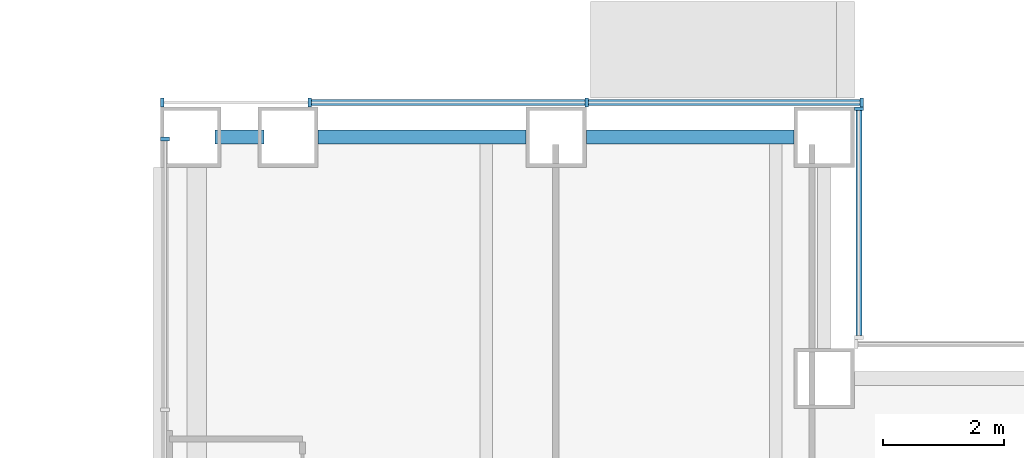
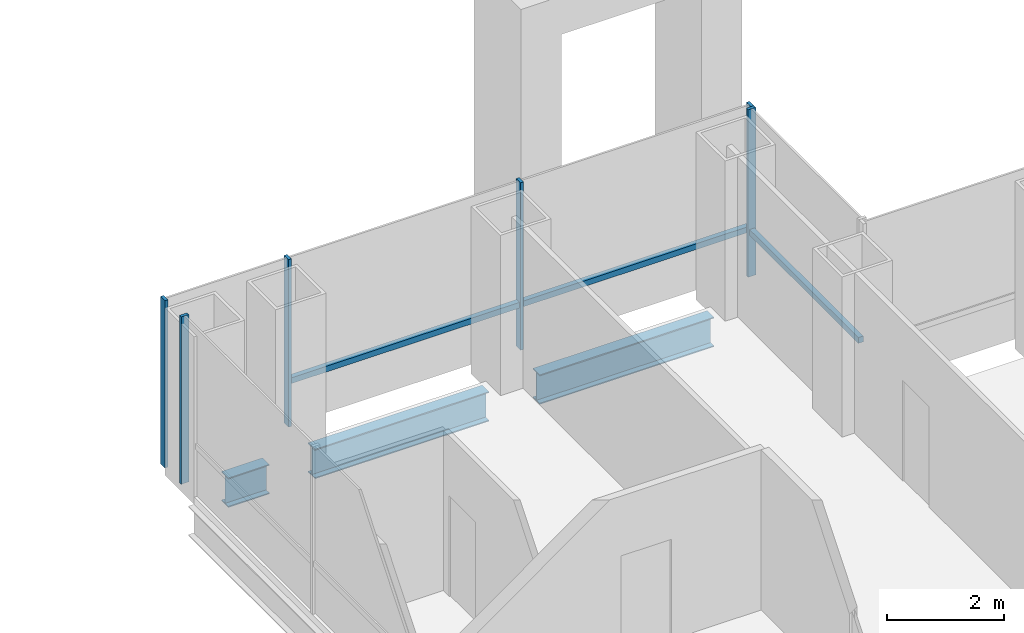
# One storey, part 10 of 26: 9 members, 3 beams, 3 elements without a shape of their own.
"""IFC4 building model written with IfcOpenShell, lengths in metres."""

from ifc_helpers import new_model, si_unit, direction, frame, origin, origin_2d, place, context, subcontext, project, spatial, rectangle, i_section, extrude, material, material_profile, profile_set, type_object, element, aggregate, save


model = new_model("IFC4")

# Units and contexts
model_context = context("Model", 3, precision=1e-05, world=origin(), true_north=direction((0.0, 1.0)))
body_context = subcontext(model_context, "Body", "Model", "MODEL_VIEW")
ifc_project = project(units=[si_unit("LENGTHUNIT", "METRE"), si_unit("AREAUNIT", "SQUARE_METRE"), si_unit("VOLUMEUNIT", "CUBIC_METRE"), si_unit("PLANEANGLEUNIT", "RADIAN"), si_unit("MASSUNIT", "GRAM", prefix="KILO")], contexts=[model_context])

# Site, building, storey
site_placement = place(None, origin())
site = spatial("IfcSite", under=ifc_project, at=site_placement, CompositionType="ELEMENT")
building_placement = place(site_placement, origin())
building = spatial("IfcBuilding", under=site, at=building_placement, Name="Cobrizo Arcos Hotel Tower", CompositionType="ELEMENT")
storey_placement = place(building_placement, frame((0.0, 0.0, 67.0)))
storey = spatial("IfcBuildingStorey", under=building, at=storey_placement, Name="L15", CompositionType="ELEMENT", Elevation=67.0)

# Curtain wall, member
ifc_material_1 = material(Name="Aluminium 6063-T6 anodised bronze", Category="aluminium")
curtain_wall_type_1 = type_object("IfcCurtainWallType", Name="CW-A guest facade", PredefinedType="NOTDEFINED", material=ifc_material_1)
curtain_wall_1_placement = place(storey_placement, origin())
curtain_wall_1 = element("IfcCurtainWall", 1, at=curtain_wall_1_placement, inside=storey, type_object=curtain_wall_type_1, Name="CW-A L15 E face", PredefinedType="NOTDEFINED")
ifc_material_profile_1 = material_profile(ifc_material_1, rectangle(XDim=0.14990234375, YDim=0.06005859375, at=origin_2d()), Name="CW-A mullion 150x60")
ifc_profile_set_1 = profile_set([ifc_material_profile_1], Name="Aluminium 6063-T6 anodised bronze")
member_type_1 = type_object("IfcMemberType", Name="CW-A mullion 150x60", PredefinedType="MULLION", material=ifc_profile_set_1)
member_1_placement = place(storey_placement, frame((20.574951171875, 24.469970703125, 0.0), z_axis=(0.0, 0.0, 1.0), x_axis=(1.0, 0.0, 0.0)))
member_1 = element("IfcMember", 2, at=member_1_placement, type_object=member_type_1, Name="CW-A mullion 2", PredefinedType="MULLION", context=body_context, shape_type="SweptSolid", body=[
    extrude(rectangle(XDim=0.14990234375, YDim=0.06005859375, at=origin_2d()), origin(), (0.0, 0.0, 1.0), 3.5),
])

# Curtain wall, members
curtain_wall_2_placement = place(storey_placement, origin())
curtain_wall_2 = element("IfcCurtainWall", 3, at=curtain_wall_2_placement, inside=storey, type_object=curtain_wall_type_1, Name="CW-A L15 N face", PredefinedType="NOTDEFINED")
member_2_placement = place(storey_placement, frame((20.6201171875, 24.574951171875, 0.0), z_axis=(0.0, 0.0, 1.0), x_axis=(0.0, 1.0, 0.0)))
member_2 = element("IfcMember", 4, at=member_2_placement, type_object=member_type_1, Name="CW-A mullion 1", PredefinedType="MULLION", context=body_context, shape_type="SweptSolid", body=[
    extrude(rectangle(XDim=0.14990234375, YDim=0.06005859375, at=origin_2d()), origin(), (0.0, 0.0, 1.0), 3.5),
])
member_3_placement = place(storey_placement, frame((16.06103515625, 24.574951171875, 0.0), z_axis=(0.0, 0.0, 1.0), x_axis=(0.0, 1.0, 0.0)))
member_3 = element("IfcMember", 5, at=member_3_placement, type_object=member_type_1, Name="CW-A mullion 2", PredefinedType="MULLION", context=body_context, shape_type="SweptSolid", body=[
    extrude(rectangle(XDim=0.14990234375, YDim=0.06005859375, at=origin_2d()), origin(), (0.0, 0.0, 1.0), 3.5),
])
member_4_placement = place(storey_placement, frame((11.47216796875, 24.574951171875, 0.0), z_axis=(0.0, 0.0, 1.0), x_axis=(0.0, 1.0, 0.0)))
member_4 = element("IfcMember", 6, at=member_4_placement, type_object=member_type_1, Name="CW-A mullion 3", PredefinedType="MULLION", context=body_context, shape_type="SweptSolid", body=[
    extrude(rectangle(XDim=0.14990234375, YDim=0.06005859375, at=origin_2d()), origin(), (0.0, 0.0, 1.0), 3.5),
])
member_5_placement = place(storey_placement, frame((9.030029296875, 24.574951171875, 0.0), z_axis=(0.0, 0.0, 1.0), x_axis=(0.0, 1.0, 0.0)))
member_5 = element("IfcMember", 7, at=member_5_placement, type_object=member_type_1, Name="CW-A mullion 4", PredefinedType="MULLION", context=body_context, shape_type="SweptSolid", body=[
    extrude(rectangle(XDim=0.14990234375, YDim=0.06005859375, at=origin_2d()), origin(), (0.0, 0.0, 1.0), 3.5),
])

# Member
ifc_material_profile_2 = material_profile(ifc_material_1, rectangle(XDim=0.10009765625, YDim=0.1201171875, at=origin_2d()), Name="CW-A transom 120x100")
ifc_profile_set_2 = profile_set([ifc_material_profile_2], Name="Aluminium 6063-T6 anodised bronze")
member_type_2 = type_object("IfcMemberType", Name="CW-A transom 120x100", PredefinedType="USERDEFINED", material=ifc_profile_set_2)
member_6_placement = place(storey_placement, frame((20.574951171875, 20.7099609375, 0.929931640625), z_axis=(0.0, 1.0, 0.0), x_axis=(-1.0, 0.0, 0.0)))
member_6 = element("IfcMember", 8, at=member_6_placement, type_object=member_type_2, Name="CW-A transom 668", ObjectType="TRANSOM", PredefinedType="USERDEFINED", context=body_context, shape_type="SweptSolid", body=[
    extrude(rectangle(XDim=0.10009765625, YDim=0.1201171875, at=origin_2d()), origin(), (0.0, 0.0, 1.0), 3.72998046875),
])

aggregate(curtain_wall_1, [member_1, member_6])

member_7_placement = place(storey_placement, frame((20.590087890625, 24.574951171875, 0.929931640625), z_axis=(-1.0, 0.0, 0.0), x_axis=(0.0, -1.0, 0.0)))
member_7 = element("IfcMember", 9, at=member_7_placement, type_object=member_type_2, Name="CW-A transom 669", ObjectType="TRANSOM", PredefinedType="USERDEFINED", context=body_context, shape_type="SweptSolid", body=[
    extrude(rectangle(XDim=0.10009765625, YDim=0.1201171875, at=origin_2d()), origin(), (0.0, 0.0, 1.0), 4.4990234375),
])

member_8_placement = place(storey_placement, frame((16.031005859375, 24.574951171875, 0.929931640625), z_axis=(-1.0, 0.0, 0.0), x_axis=(0.0, -1.0, 0.0)))
member_8 = element("IfcMember", 10, at=member_8_placement, type_object=member_type_2, Name="CW-A transom 670", ObjectType="TRANSOM", PredefinedType="USERDEFINED", context=body_context, shape_type="SweptSolid", body=[
    extrude(rectangle(XDim=0.10009765625, YDim=0.1201171875, at=origin_2d()), origin(), (0.0, 0.0, 1.0), 4.52880859375),
])

aggregate(curtain_wall_2, [member_2, member_3, member_4, member_5, member_7, member_8])

# Curtain wall, member
curtain_wall_type_2 = type_object("IfcCurtainWallType", Name="CW-F void screen", PredefinedType="NOTDEFINED", material=ifc_material_1)
curtain_wall_3_placement = place(storey_placement, origin())
curtain_wall_3 = element("IfcCurtainWall", 11, at=curtain_wall_3_placement, inside=storey, type_object=curtain_wall_type_2, Name="CW-F L15 void screen A", PredefinedType="NOTDEFINED")
ifc_material_profile_3 = material_profile(ifc_material_1, rectangle(XDim=0.14990234375, YDim=0.06005859375, at=origin_2d()), Name="CW-F mullion 150x60")
ifc_profile_set_3 = profile_set([ifc_material_profile_3], Name="Aluminium 6063-T6 anodised bronze")
member_type_3 = type_object("IfcMemberType", Name="CW-F mullion 150x60", PredefinedType="MULLION", material=ifc_profile_set_3)
member_9_placement = place(storey_placement, frame((9.074951171875, 23.969970703125, 0.0), z_axis=(0.0, 0.0, 1.0), x_axis=(1.0, 0.0, 0.0)))
member_9 = element("IfcMember", 12, at=member_9_placement, type_object=member_type_3, Name="CW-F mullion 6", PredefinedType="MULLION", context=body_context, shape_type="SweptSolid", body=[
    extrude(rectangle(XDim=0.14990234375, YDim=0.06005859375, at=origin_2d()), origin(), (0.0, 0.0, 1.0), 3.5),
])
aggregate(curtain_wall_3, [member_9])

# Beams
ifc_material_2 = material(Name="Steel ASTM A992 Grade 50", Category="steel")
ifc_material_profile_4 = material_profile(ifc_material_2, i_section(OverallWidth=0.23046875, OverallDepth=0.6171875, WebThickness=0.01318359375, FlangeThickness=0.022216796875, at=origin_2d()), Name="W24X94")
ifc_profile_set_4 = profile_set([ifc_material_profile_4], Name="Steel ASTM A992 Grade 50")
beam_type = type_object("IfcBeamType", Name="W24X94 spandrel", PredefinedType="SPANDREL", material=ifc_profile_set_4)
beam_1_placement = place(storey_placement, frame((9.89990234375, 24.0, -0.45849609375), z_axis=(1.0, 0.0, 0.0), x_axis=(0.0, 1.0, 0.0)))
element("IfcBeam", 13, at=beam_1_placement, inside=storey, type_object=beam_type, Name="Spandrel beam W24X94, L15, no. 029", PredefinedType="SPANDREL", context=body_context, shape_type="SweptSolid", body=[
    extrude(i_section(OverallWidth=0.23046875, OverallDepth=0.6171875, WebThickness=0.01318359375, FlangeThickness=0.022216796875, at=origin_2d()), origin(), (0.0, 0.0, 1.0), 0.81103515625),
])
beam_2_placement = place(storey_placement, frame((11.611083984375, 24.0, -0.45849609375), z_axis=(1.0, 0.0, 0.0), x_axis=(0.0, 1.0, 0.0)))
element("IfcBeam", 14, at=beam_2_placement, inside=storey, type_object=beam_type, Name="Spandrel beam W24X94, L15, no. 030", PredefinedType="SPANDREL", context=body_context, shape_type="SweptSolid", body=[
    extrude(i_section(OverallWidth=0.23046875, OverallDepth=0.6171875, WebThickness=0.01318359375, FlangeThickness=0.022216796875, at=origin_2d()), origin(), (0.0, 0.0, 1.0), 3.44482421875),
])
beam_3_placement = place(storey_placement, frame((16.055908203125, 24.0, -0.45849609375), z_axis=(1.0, 0.0, 0.0), x_axis=(0.0, 1.0, 0.0)))
element("IfcBeam", 15, at=beam_3_placement, inside=storey, type_object=beam_type, Name="Spandrel beam W24X94, L15, no. 031", PredefinedType="SPANDREL", context=body_context, shape_type="SweptSolid", body=[
    extrude(i_section(OverallWidth=0.23046875, OverallDepth=0.6171875, WebThickness=0.01318359375, FlangeThickness=0.022216796875, at=origin_2d()), origin(), (0.0, 0.0, 1.0), 3.444091796875),
])

save(model, "model.ifc")
